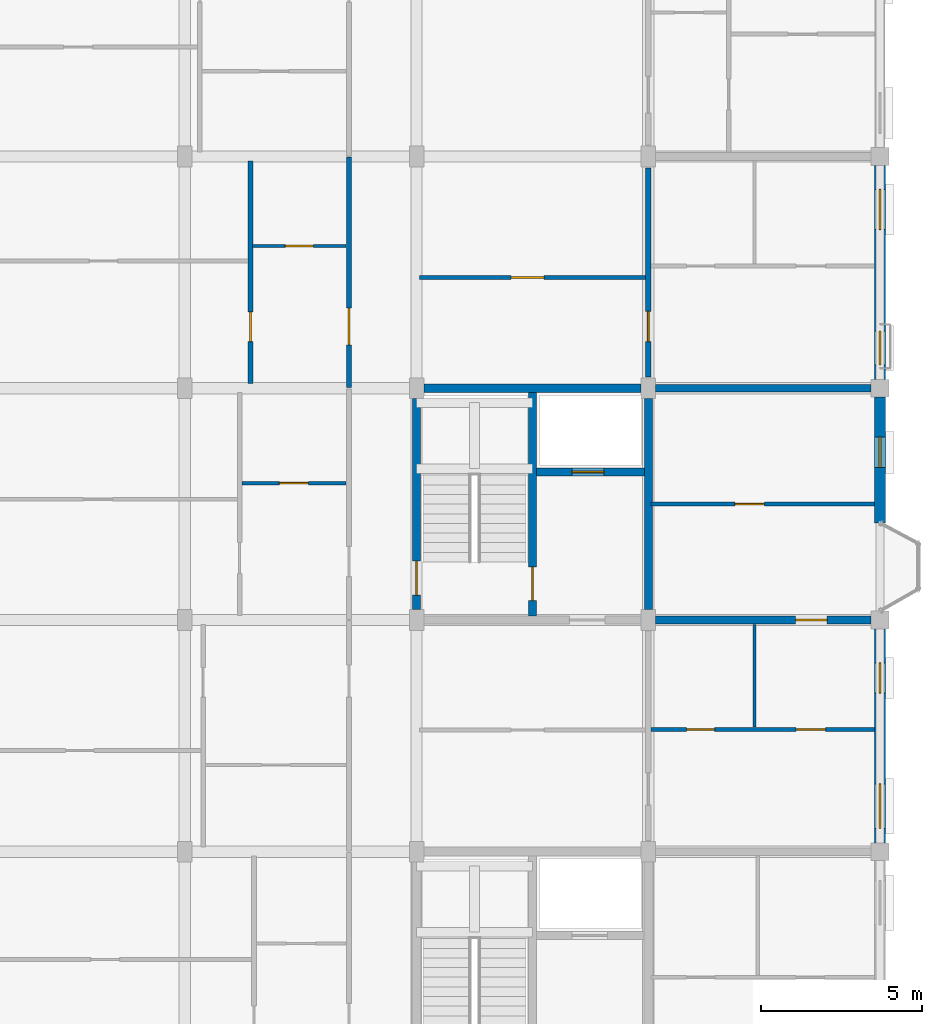
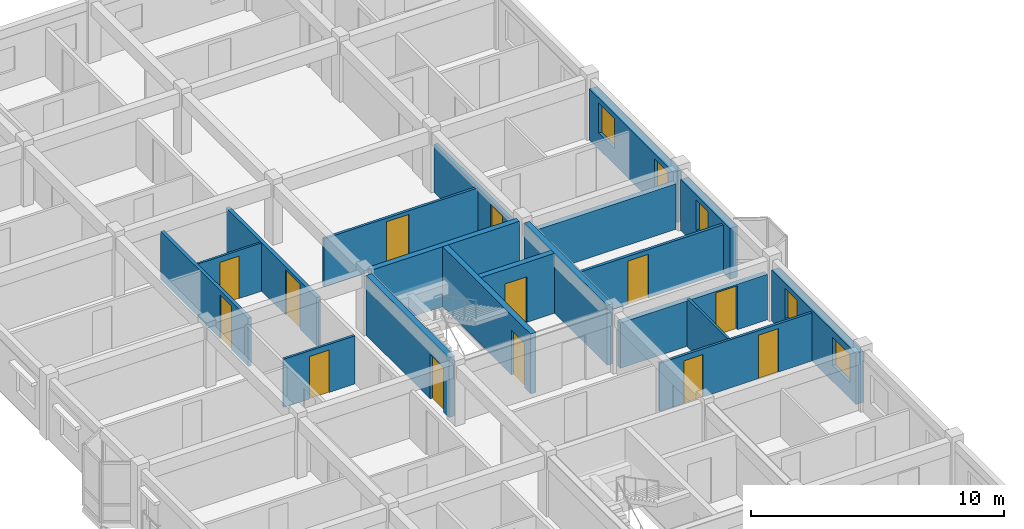
# One storey, part 63 of 79: 19 walls, 13 doors, 5 windows, 18 openings.
"""IFC4 building model written with IfcOpenShell, lengths in metres."""

from ifc_helpers import new_model, si_unit, direction, frame, frame_2d, origin, place, context, subcontext, project, spatial, rectangle, extrude, material, layer, layer_set, type_object, element, fill, save


model = new_model("IFC4")

# Units and contexts
model_context = context("Model", 3, precision=1e-05, world=origin(), true_north=direction((0.0, 1.0)))
body_context = subcontext(model_context, "Body", "Model", "MODEL_VIEW")
ifc_project = project(units=[si_unit("LENGTHUNIT", "METRE"), si_unit("AREAUNIT", "SQUARE_METRE"), si_unit("VOLUMEUNIT", "CUBIC_METRE"), si_unit("PLANEANGLEUNIT", "RADIAN"), si_unit("MASSUNIT", "GRAM", prefix="KILO"), si_unit("THERMODYNAMICTEMPERATUREUNIT", "KELVIN"), si_unit("POWERUNIT", "WATT")], contexts=[model_context])

# Site, building, storey
site_placement = place(None, origin())
site = spatial("IfcSite", under=ifc_project, at=site_placement, CompositionType="ELEMENT")
building_placement = place(site_placement, origin())
building = spatial("IfcBuilding", under=site, at=building_placement, Name="Tavuni Mirador Residences", CompositionType="ELEMENT")
storey_placement = place(building_placement, frame((0.0, 0.0, 13.949951171875)))
storey = spatial("IfcBuildingStorey", under=building, at=storey_placement, Name="L04", CompositionType="ELEMENT", Elevation=13.949951171875)

# Wall, opening, door
ifc_material_1 = material(Name="Precast concrete C40/50", Category="concrete")
ifc_layer_1 = layer(ifc_material_1, 0.25, Name="Precast concrete C40/50", Category="concrete")
ifc_layer_set_1 = layer_set([ifc_layer_1], Name="Precast concrete C40/50")
wall_type_1 = type_object("IfcWallType", Name="WT-COR250", PredefinedType="SHEAR", material=ifc_layer_set_1)
wall_1_placement = place(storey_placement, frame((104.39990234375, 108.324951171875, 0.0), z_axis=(0.0, 0.0, 1.0), x_axis=(0.0, 1.0, 0.0)))
wall_1 = element("IfcWall", 1, at=wall_1_placement, inside=storey, type_object=wall_type_1, Name="CWALL-C8-L04-W", PredefinedType="SHEAR", context=body_context, shape_type="SweptSolid", body=[
    extrude(rectangle(XDim=6.550048828125, YDim=0.25, at=frame_2d((3.27490234375, 0.0))), origin(), (0.0, 0.0, 1.0), 2.89013671875),
])
opening_1_placement = place(wall_1_placement, frame((0.449951171875, 0.0, 0.0)))
opening_1 = element("IfcOpeningElement", 2, at=opening_1_placement, cuts=wall_1, Name="Opening D-01", PredefinedType="OPENING", context=body_context, shape_type="SweptSolid", body=[
    extrude(rectangle(XDim=1.050048828125, YDim=2.14990234375, at=frame_2d((0.52490234375, 1.074951171875))), frame((0.0, 0.135009765625, 0.0), z_axis=(0.0, -1.0, 0.0), x_axis=(1.0, 0.0, 0.0)), (0.0, 0.0, 1.0), 0.27001953125),
])
ifc_material_2 = material(Name="Solid core iroko timber", Category="wood")
door_type_1 = type_object("IfcDoorType", Name="DT-ST1050", OperationType="NOTDEFINED", PredefinedType="DOOR", material=ifc_material_2)
door_1_placement = place(opening_1_placement, origin())
door_1 = element("IfcDoor", 3, at=door_1_placement, inside=storey, type_object=door_type_1, Name="DR-2329", OperationType="SINGLE_SWING_RIGHT", OverallHeight=2.14990234375, OverallWidth=1.050048828125, PredefinedType="DOOR", context=body_context, shape_type="SweptSolid", body=[
    extrude(rectangle(XDim=1.050048828125, YDim=2.14990234375, at=frame_2d((0.52490234375, 1.074951171875))), frame((0.0, 0.02490234375, 0.0), z_axis=(0.0, -1.0, 0.0), x_axis=(1.0, 0.0, 0.0)), (0.0, 0.0, 1.0), 0.050048828125),
])
fill(opening_1, door_1)

# Walls
wall_2_placement = place(storey_placement, frame((104.625, 115.199951171875, 0.0), z_axis=(0.0, 0.0, 1.0), x_axis=(1.0, 0.0, 0.0)))
element("IfcWall", 4, at=wall_2_placement, inside=storey, type_object=wall_type_1, Name="CWALL-C8-L04-N", PredefinedType="SHEAR", context=body_context, shape_type="SweptSolid", body=[
    extrude(rectangle(XDim=6.75, YDim=0.25, at=frame_2d((3.375, 0.0))), origin(), (0.0, 0.0, 1.0), 2.89013671875),
])
wall_3_placement = place(storey_placement, frame((111.60009765625, 108.324951171875, 0.0), z_axis=(0.0, 0.0, 1.0), x_axis=(0.0, 1.0, 0.0)))
element("IfcWall", 5, at=wall_3_placement, inside=storey, type_object=wall_type_1, Name="CWALL-C8-L04-E", PredefinedType="SHEAR", context=body_context, shape_type="SweptSolid", body=[
    extrude(rectangle(XDim=6.550048828125, YDim=0.25, at=frame_2d((3.27490234375, 0.0))), origin(), (0.0, 0.0, 1.0), 2.89013671875),
])

# Wall, opening, door
wall_4_placement = place(storey_placement, frame((108.0, 108.125, 0.0), z_axis=(0.0, 0.0, 1.0), x_axis=(0.0, 1.0, 0.0)))
wall_4 = element("IfcWall", 6, at=wall_4_placement, inside=storey, type_object=wall_type_1, Name="CWALL-C8-L04-MID", PredefinedType="SHEAR", context=body_context, shape_type="SweptSolid", body=[
    extrude(rectangle(XDim=6.949951171875, YDim=0.25, at=frame_2d((3.47509765625, 0.0))), origin(), (0.0, 0.0, 1.0), 2.89013671875),
])
opening_2_placement = place(wall_4_placement, frame((0.47509765625, 0.0, 0.0)))
opening_2 = element("IfcOpeningElement", 7, at=opening_2_placement, cuts=wall_4, Name="Opening D-01", PredefinedType="OPENING", context=body_context, shape_type="SweptSolid", body=[
    extrude(rectangle(XDim=1.050048828125, YDim=2.14990234375, at=frame_2d((0.52490234375, 1.074951171875))), frame((0.0, 0.135009765625, 0.0), z_axis=(0.0, -1.0, 0.0), x_axis=(1.0, 0.0, 0.0)), (0.0, 0.0, 1.0), 0.27001953125),
])
door_2_placement = place(opening_2_placement, origin())
door_2 = element("IfcDoor", 8, at=door_2_placement, inside=storey, type_object=door_type_1, Name="DR-2331", OperationType="SINGLE_SWING_LEFT", OverallHeight=2.14990234375, OverallWidth=1.050048828125, PredefinedType="DOOR", context=body_context, shape_type="SweptSolid", body=[
    extrude(rectangle(XDim=1.050048828125, YDim=2.14990234375, at=frame_2d((0.52490234375, 1.074951171875))), frame((0.0, 0.02490234375, 0.0), z_axis=(0.0, -1.0, 0.0), x_axis=(1.0, 0.0, 0.0)), (0.0, 0.0, 1.0), 0.050048828125),
])
fill(opening_2, door_2)

wall_5_placement = place(storey_placement, frame((108.125, 112.60009765625, 0.0), z_axis=(0.0, 0.0, 1.0), x_axis=(1.0, 0.0, 0.0)))
wall_5 = element("IfcWall", 9, at=wall_5_placement, inside=storey, type_object=wall_type_1, Name="CWALL-C8-L04-SHF", PredefinedType="SHEAR", context=body_context, shape_type="SweptSolid", body=[
    extrude(rectangle(XDim=3.35009765625, YDim=0.25, at=frame_2d((1.675048828125, 0.0))), origin(), (0.0, 0.0, 1.0), 2.89013671875),
])
opening_3_placement = place(wall_5_placement, frame((1.10009765625, 0.0, 0.0)))
opening_3 = element("IfcOpeningElement", 10, at=opening_3_placement, cuts=wall_5, Name="Opening LD-02", PredefinedType="OPENING", context=body_context, shape_type="SweptSolid", body=[
    extrude(rectangle(XDim=1.0, YDim=2.199951171875, at=frame_2d((0.5, 1.10009765625))), frame((0.0, 0.135009765625, 0.0), z_axis=(0.0, -1.0, 0.0), x_axis=(1.0, 0.0, 0.0)), (0.0, 0.0, 1.0), 0.27001953125),
])
ifc_material_3 = material(Name="Structural steel S355", Category="steel")
door_type_2 = type_object("IfcDoorType", Name="DT-LD-PAX", OperationType="SLIDING_TO_LEFT", PredefinedType="DOOR", material=ifc_material_3)
door_3_placement = place(opening_3_placement, origin())
door_3 = element("IfcDoor", 11, at=door_3_placement, inside=storey, type_object=door_type_2, Name="Lift landing door PL-D1 L04", OperationType="SLIDING_TO_LEFT", OverallHeight=2.199951171875, OverallWidth=1.0, PredefinedType="DOOR", context=body_context, shape_type="SweptSolid", body=[
    extrude(rectangle(XDim=1.0, YDim=2.199951171875, at=frame_2d((0.5, 1.10009765625))), frame((0.0, 0.02490234375, 0.0), z_axis=(0.0, -1.0, 0.0), x_axis=(1.0, 0.0, 0.0)), (0.0, 0.0, 1.0), 0.050048828125),
])
fill(opening_3, door_3)

ifc_layer_2 = layer(ifc_material_1, 0.1650390625, Name="Precast concrete C40/50", Category="concrete")
ifc_layer_set_2 = layer_set([ifc_layer_2], Name="Precast concrete C40/50")
wall_type_2 = type_object("IfcWallType", Name="WT-CORR165", PredefinedType="PARTITIONING", material=ifc_layer_set_2)
wall_6_placement = place(storey_placement, frame((102.300048828125, 115.219970703125, 0.0), z_axis=(0.0, 0.0, 1.0), x_axis=(0.0, 1.0, 0.0)))
wall_6 = element("IfcWall", 12, at=wall_6_placement, inside=storey, type_object=wall_type_2, Name="CORW-BLK-D-L04-0-04", PredefinedType="PARTITIONING", context=body_context, shape_type="SweptSolid", body=[
    extrude(rectangle(XDim=7.159912109375, YDim=0.1650390625, at=frame_2d((3.580078125, 0.0))), origin(), (0.0, 0.0, 1.0), 2.324951171875),
])
opening_4_placement = place(wall_6_placement, frame((1.330078125, 0.0, 0.0)))
opening_4 = element("IfcOpeningElement", 13, at=opening_4_placement, cuts=wall_6, Name="Opening D-20", PredefinedType="OPENING", context=body_context, shape_type="SweptSolid", body=[
    extrude(rectangle(XDim=1.139892578125, YDim=2.179931640625, at=frame_2d((0.56982421875, 1.08984375))), frame((0.0, 0.092529296875, 0.0), z_axis=(0.0, -1.0, 0.0), x_axis=(1.0, 0.0, 0.0)), (0.0, 0.0, 1.0), 0.18505859375),
])
door_type_3 = type_object("IfcDoorType", Name="DT-FD60-1140", OperationType="NOTDEFINED", PredefinedType="DOOR", material=ifc_material_2)
door_4_placement = place(opening_4_placement, origin())
door_4 = element("IfcDoor", 14, at=door_4_placement, inside=storey, type_object=door_type_3, Name="DR-2861", OperationType="SINGLE_SWING_RIGHT", OverallHeight=2.179931640625, OverallWidth=1.139892578125, PredefinedType="DOOR", context=body_context, shape_type="SweptSolid", body=[
    extrude(rectangle(XDim=1.139892578125, YDim=2.179931640625, at=frame_2d((0.56982421875, 1.08984375))), frame((0.0, 0.02490234375, 0.0), z_axis=(0.0, -1.0, 0.0), x_axis=(1.0, 0.0, 0.0)), (0.0, 0.0, 1.0), 0.050048828125),
])
fill(opening_4, door_4)

wall_7_placement = place(storey_placement, frame((111.60009765625, 115.550048828125, 0.0), z_axis=(0.0, 0.0, 1.0), x_axis=(0.0, 1.0, 0.0)))
wall_7 = element("IfcWall", 15, at=wall_7_placement, inside=storey, type_object=wall_type_2, Name="CORW-BLK-D-L04-1-04", PredefinedType="PARTITIONING", context=body_context, shape_type="SweptSolid", body=[
    extrude(rectangle(XDim=6.5, YDim=0.1650390625, at=frame_2d((3.25, 0.0))), origin(), (0.0, 0.0, 1.0), 2.324951171875),
])
opening_5_placement = place(wall_7_placement, frame((1.10009765625, 0.0, 0.0)))
opening_5 = element("IfcOpeningElement", 16, at=opening_5_placement, cuts=wall_7, Name="Opening D-19", PredefinedType="OPENING", context=body_context, shape_type="SweptSolid", body=[
    extrude(rectangle(XDim=0.93994140625, YDim=2.1201171875, at=frame_2d((0.469970703125, 1.06005859375))), frame((0.0, 0.092529296875, 0.0), z_axis=(0.0, -1.0, 0.0), x_axis=(1.0, 0.0, 0.0)), (0.0, 0.0, 1.0), 0.18505859375),
])
door_type_4 = type_object("IfcDoorType", Name="DT-FD60-940", OperationType="NOTDEFINED", PredefinedType="DOOR", material=ifc_material_2)
door_5_placement = place(opening_5_placement, origin())
door_5 = element("IfcDoor", 17, at=door_5_placement, inside=storey, type_object=door_type_4, Name="DR-2866", OperationType="SINGLE_SWING_LEFT", OverallHeight=2.1201171875, OverallWidth=0.93994140625, PredefinedType="DOOR", context=body_context, shape_type="SweptSolid", body=[
    extrude(rectangle(XDim=0.93994140625, YDim=2.1201171875, at=frame_2d((0.469970703125, 1.06005859375))), frame((0.0, 0.02490234375, 0.0), z_axis=(0.0, -1.0, 0.0), x_axis=(1.0, 0.0, 0.0)), (0.0, 0.0, 1.0), 0.050048828125),
])
fill(opening_5, door_5)

# Wall, openings, windows
ifc_material_4 = material(Name="Sgraffito lime-rendered precast concrete C40/50", Category="concrete")
ifc_layer_3 = layer(ifc_material_4, 0.344970703125, Name="Sgraffito lime-rendered precast concrete C40/50", Category="concrete")
ifc_layer_set_3 = layer_set([ifc_layer_3], Name="Sgraffito lime-rendered precast concrete C40/50")
wall_type_3 = type_object("IfcWallType", Name="WT-EXT-PTY345", PredefinedType="SOLIDWALL", material=ifc_layer_set_3)
wall_8_placement = place(storey_placement, frame((118.800048828125, 101.074951171875, 0.0), z_axis=(0.0, 0.0, 1.0), x_axis=(0.0, 1.0, 0.0)))
wall_8 = element("IfcWall", 18, at=wall_8_placement, inside=storey, type_object=wall_type_3, Name="EW-BLK-D-L04-E02", PredefinedType="SOLIDWALL", context=body_context, shape_type="SweptSolid", body=[
    extrude(rectangle(XDim=6.650146484375, YDim=0.344970703125, at=frame_2d((3.3251953125, 0.0))), origin(), (0.0, 0.0, 1.0), 2.4599609375),
])
opening_6_placement = place(wall_8_placement, frame((0.449951171875, 0.0, 0.780029296875)))
opening_6 = element("IfcOpeningElement", 19, at=opening_6_placement, cuts=wall_8, Name="Opening WN-23", PredefinedType="OPENING", context=body_context, shape_type="SweptSolid", body=[
    extrude(rectangle(XDim=1.3798828125, YDim=1.360107421875, at=frame_2d((0.68994140625, 0.68017578125))), frame((0.0, 0.1826171875, 0.0), z_axis=(0.0, -1.0, 0.0), x_axis=(1.0, 0.0, 0.0)), (0.0, 0.0, 1.0), 0.364990234375),
])
opening_7_placement = place(wall_8_placement, frame((4.64990234375, 0.0, 0.780029296875)))
opening_7 = element("IfcOpeningElement", 20, at=opening_7_placement, cuts=wall_8, Name="Opening WN-25", PredefinedType="OPENING", context=body_context, shape_type="SweptSolid", body=[
    extrude(rectangle(XDim=0.93994140625, YDim=1.43994140625, at=frame_2d((0.469970703125, 0.719970703125))), frame((0.0, 0.1826171875, 0.0), z_axis=(0.0, -1.0, 0.0), x_axis=(1.0, 0.0, 0.0)), (0.0, 0.0, 1.0), 0.364990234375),
])
ifc_material_5 = material(Name="Laminated solar-control glass", Category="glass")
window_type_1 = type_object("IfcWindowType", Name="WNT-23", PartitioningType="SINGLE_PANEL", PredefinedType="WINDOW", material=ifc_material_5)
window_1_placement = place(opening_6_placement, origin())
window_1 = element("IfcWindow", 21, at=window_1_placement, inside=storey, type_object=window_type_1, Name="WIN-1578", OverallHeight=1.360107421875, OverallWidth=1.3798828125, PartitioningType="SINGLE_PANEL", PredefinedType="WINDOW", context=body_context, shape_type="SweptSolid", body=[
    extrude(rectangle(XDim=1.3798828125, YDim=1.360107421875, at=frame_2d((0.68994140625, 0.68017578125))), frame((0.0, 0.030029296875, 0.0), z_axis=(0.0, -1.0, 0.0), x_axis=(1.0, 0.0, 0.0)), (0.0, 0.0, 1.0), 0.06005859375),
])
fill(opening_6, window_1)
window_type_2 = type_object("IfcWindowType", Name="WNT-25", PartitioningType="SINGLE_PANEL", PredefinedType="WINDOW", material=ifc_material_5)
window_2_placement = place(opening_7_placement, origin())
window_2 = element("IfcWindow", 22, at=window_2_placement, inside=storey, type_object=window_type_2, Name="WIN-1579", OverallHeight=1.43994140625, OverallWidth=0.93994140625, PartitioningType="SINGLE_PANEL", PredefinedType="WINDOW", context=body_context, shape_type="SweptSolid", body=[
    extrude(rectangle(XDim=0.93994140625, YDim=1.43994140625, at=frame_2d((0.469970703125, 0.719970703125))), frame((0.0, 0.030029296875, 0.0), z_axis=(0.0, -1.0, 0.0), x_axis=(1.0, 0.0, 0.0)), (0.0, 0.0, 1.0), 0.06005859375),
])
fill(opening_7, window_2)

# Wall, opening, window
wall_9_placement = place(storey_placement, frame((118.800048828125, 111.02001953125, 0.0), z_axis=(0.0, 0.0, 1.0), x_axis=(0.0, 1.0, 0.0)))
wall_9 = element("IfcWall", 23, at=wall_9_placement, inside=storey, type_object=wall_type_3, Name="EW-BLK-D-L04-E03", PredefinedType="SOLIDWALL", context=body_context, shape_type="SweptSolid", body=[
    extrude(rectangle(XDim=3.905029296875, YDim=0.344970703125, at=frame_2d((1.95263671875, 0.0))), origin(), (0.0, 0.0, 1.0), 2.4599609375),
])
opening_8_placement = place(wall_9_placement, frame((1.717529296875, 0.0, 0.780029296875)))
opening_8 = element("IfcOpeningElement", 24, at=opening_8_placement, cuts=wall_9, Name="Opening WN-25", PredefinedType="OPENING", context=body_context, shape_type="SweptSolid", body=[
    extrude(rectangle(XDim=0.93994140625, YDim=1.43994140625, at=frame_2d((0.469970703125, 0.719970703125))), frame((0.0, 0.1826171875, 0.0), z_axis=(0.0, -1.0, 0.0), x_axis=(1.0, 0.0, 0.0)), (0.0, 0.0, 1.0), 0.364990234375),
])
window_3_placement = place(opening_8_placement, origin())
window_3 = element("IfcWindow", 25, at=window_3_placement, inside=storey, type_object=window_type_2, Name="WIN-1580", OverallHeight=1.43994140625, OverallWidth=0.93994140625, PartitioningType="SINGLE_PANEL", PredefinedType="WINDOW", context=body_context, shape_type="SweptSolid", body=[
    extrude(rectangle(XDim=0.93994140625, YDim=1.43994140625, at=frame_2d((0.469970703125, 0.719970703125))), frame((0.0, 0.030029296875, 0.0), z_axis=(0.0, -1.0, 0.0), x_axis=(1.0, 0.0, 0.0)), (0.0, 0.0, 1.0), 0.06005859375),
])
fill(opening_8, window_3)

# Wall, openings, windows
wall_10_placement = place(storey_placement, frame((118.800048828125, 115.47509765625, 0.0), z_axis=(0.0, 0.0, 1.0), x_axis=(0.0, 1.0, 0.0)))
wall_10 = element("IfcWall", 26, at=wall_10_placement, inside=storey, type_object=wall_type_3, Name="EW-BLK-D-L04-E04", PredefinedType="SOLIDWALL", context=body_context, shape_type="SweptSolid", body=[
    extrude(rectangle(XDim=6.64990234375, YDim=0.344970703125, at=frame_2d((3.324951171875, 0.0))), origin(), (0.0, 0.0, 1.0), 2.4599609375),
])
opening_9_placement = place(wall_10_placement, frame((0.449951171875, 0.0, 0.780029296875)))
opening_9 = element("IfcOpeningElement", 27, at=opening_9_placement, cuts=wall_10, Name="Opening WN-26", PredefinedType="OPENING", context=body_context, shape_type="SweptSolid", body=[
    extrude(rectangle(XDim=1.050048828125, YDim=1.43994140625, at=frame_2d((0.52490234375, 0.719970703125))), frame((0.0, 0.1826171875, 0.0), z_axis=(0.0, -1.0, 0.0), x_axis=(1.0, 0.0, 0.0)), (0.0, 0.0, 1.0), 0.364990234375),
])
opening_10_placement = place(wall_10_placement, frame((4.64990234375, 0.0, 0.780029296875)))
opening_10 = element("IfcOpeningElement", 28, at=opening_10_placement, cuts=wall_10, Name="Opening WN-28", PredefinedType="OPENING", context=body_context, shape_type="SweptSolid", body=[
    extrude(rectangle(XDim=1.25, YDim=1.43994140625, at=frame_2d((0.625, 0.719970703125))), frame((0.0, 0.1826171875, 0.0), z_axis=(0.0, -1.0, 0.0), x_axis=(1.0, 0.0, 0.0)), (0.0, 0.0, 1.0), 0.364990234375),
])
window_type_3 = type_object("IfcWindowType", Name="WNT-26", PartitioningType="SINGLE_PANEL", PredefinedType="WINDOW", material=ifc_material_5)
window_4_placement = place(opening_9_placement, origin())
window_4 = element("IfcWindow", 29, at=window_4_placement, inside=storey, type_object=window_type_3, Name="WIN-1581", OverallHeight=1.43994140625, OverallWidth=1.050048828125, PartitioningType="SINGLE_PANEL", PredefinedType="WINDOW", context=body_context, shape_type="SweptSolid", body=[
    extrude(rectangle(XDim=1.050048828125, YDim=1.43994140625, at=frame_2d((0.52490234375, 0.719970703125))), frame((0.0, 0.030029296875, 0.0), z_axis=(0.0, -1.0, 0.0), x_axis=(1.0, 0.0, 0.0)), (0.0, 0.0, 1.0), 0.06005859375),
])
fill(opening_9, window_4)
window_type_4 = type_object("IfcWindowType", Name="WNT-28", PartitioningType="SINGLE_PANEL", PredefinedType="WINDOW", material=ifc_material_5)
window_5_placement = place(opening_10_placement, origin())
window_5 = element("IfcWindow", 30, at=window_5_placement, inside=storey, type_object=window_type_4, Name="WIN-1582", OverallHeight=1.43994140625, OverallWidth=1.25, PartitioningType="SINGLE_PANEL", PredefinedType="WINDOW", context=body_context, shape_type="SweptSolid", body=[
    extrude(rectangle(XDim=1.25, YDim=1.43994140625, at=frame_2d((0.625, 0.719970703125))), frame((0.0, 0.030029296875, 0.0), z_axis=(0.0, -1.0, 0.0), x_axis=(1.0, 0.0, 0.0)), (0.0, 0.0, 1.0), 0.06005859375),
])
fill(opening_10, window_5)

# Wall, opening, door
ifc_material_6 = material(Name="Acoustic gypsum and concrete block partition", Category="concrete")
ifc_layer_4 = layer(ifc_material_6, 0.094970703125, Name="Acoustic gypsum and concrete block partition", Category="concrete")
ifc_layer_set_4 = layer_set([ifc_layer_4], Name="Acoustic gypsum and concrete block partition")
wall_type_4 = type_object("IfcWallType", Name="WT-PART095", PredefinedType="PARTITIONING", material=ifc_layer_set_4)
wall_11_placement = place(storey_placement, frame((99.31005859375, 119.6201171875, 0.0), z_axis=(0.0, 0.0, 1.0), x_axis=(1.0, 0.0, 0.0)))
wall_11 = element("IfcWall", 31, at=wall_11_placement, inside=storey, type_object=wall_type_4, Name="PW-BLK-D-L04-W04-IN1", PredefinedType="PARTITIONING", context=body_context, shape_type="SweptSolid", body=[
    extrude(rectangle(XDim=2.89990234375, YDim=0.094970703125, at=frame_2d((1.449951171875, 0.0))), origin(), (0.0, 0.0, 1.0), 2.324951171875),
])
opening_11_placement = place(wall_11_placement, frame((1.014892578125, 0.0, 0.0)))
opening_11 = element("IfcOpeningElement", 32, at=opening_11_placement, cuts=wall_11, Name="Opening D-10", PredefinedType="OPENING", context=body_context, shape_type="SweptSolid", body=[
    extrude(rectangle(XDim=0.8701171875, YDim=2.050048828125, at=frame_2d((0.43505859375, 1.02490234375))), frame((0.0, 0.0576171875, 0.0), z_axis=(0.0, -1.0, 0.0), x_axis=(1.0, 0.0, 0.0)), (0.0, 0.0, 1.0), 0.114990234375),
])
door_type_5 = type_object("IfcDoorType", Name="DT-WC870", OperationType="NOTDEFINED", PredefinedType="DOOR", material=ifc_material_2)
door_6_placement = place(opening_11_placement, origin())
door_6 = element("IfcDoor", 33, at=door_6_placement, inside=storey, type_object=door_type_5, Name="DR-4454", OperationType="SINGLE_SWING_LEFT", OverallHeight=2.050048828125, OverallWidth=0.8701171875, PredefinedType="DOOR", context=body_context, shape_type="SweptSolid", body=[
    extrude(rectangle(XDim=0.8701171875, YDim=2.050048828125, at=frame_2d((0.43505859375, 1.02490234375))), frame((0.0, 0.02490234375, 0.0), z_axis=(0.0, -1.0, 0.0), x_axis=(1.0, 0.0, 0.0)), (0.0, 0.0, 1.0), 0.050048828125),
])
fill(opening_11, door_6)

# Wall
ifc_layer_5 = layer(ifc_material_6, 0.10498046875, Name="Acoustic gypsum and concrete block partition", Category="concrete")
ifc_layer_set_5 = layer_set([ifc_layer_5], Name="Acoustic gypsum and concrete block partition")
wall_type_5 = type_object("IfcWallType", Name="WT-PART105", PredefinedType="PARTITIONING", material=ifc_layer_set_5)
wall_12_placement = place(storey_placement, frame((114.89990234375, 104.669921875, 0.0), z_axis=(0.0, 0.0, 1.0), x_axis=(0.0, 1.0, 0.0)))
element("IfcWall", 34, at=wall_12_placement, inside=storey, type_object=wall_type_5, Name="PW-BLK-D-L04-PF02-V", PredefinedType="PARTITIONING", context=body_context, shape_type="SweptSolid", body=[
    extrude(rectangle(XDim=3.190185546875, YDim=0.10498046875, at=frame_2d((1.59521484375, 0.0))), origin(), (0.0, 0.0, 1.0), 2.324951171875),
])

# Wall, opening, door
wall_13_placement = place(storey_placement, frame((98.969970703125, 112.25, 0.0), z_axis=(0.0, 0.0, 1.0), x_axis=(1.0, 0.0, 0.0)))
wall_13 = element("IfcWall", 35, at=wall_13_placement, inside=storey, type_object=wall_type_5, Name="PW-BLK-D-L04-W03-IN1", PredefinedType="PARTITIONING", context=body_context, shape_type="SweptSolid", body=[
    extrude(rectangle(XDim=3.239990234375, YDim=0.10498046875, at=frame_2d((1.6201171875, 0.0))), origin(), (0.0, 0.0, 1.0), 2.324951171875),
])
opening_12_placement = place(wall_13_placement, frame((1.169921875, 0.0, 0.0)))
opening_12 = element("IfcOpeningElement", 36, at=opening_12_placement, cuts=wall_13, Name="Opening D-09", PredefinedType="OPENING", context=body_context, shape_type="SweptSolid", body=[
    extrude(rectangle(XDim=0.89990234375, YDim=2.050048828125, at=frame_2d((0.449951171875, 1.02490234375))), frame((0.0, 0.0625, 0.0), z_axis=(0.0, -1.0, 0.0), x_axis=(1.0, 0.0, 0.0)), (0.0, 0.0, 1.0), 0.125),
])
door_type_6 = type_object("IfcDoorType", Name="DT-WC900", OperationType="NOTDEFINED", PredefinedType="DOOR", material=ifc_material_2)
door_7_placement = place(opening_12_placement, origin())
door_7 = element("IfcDoor", 37, at=door_7_placement, inside=storey, type_object=door_type_6, Name="DR-4449", OperationType="SINGLE_SWING_RIGHT", OverallHeight=2.050048828125, OverallWidth=0.89990234375, PredefinedType="DOOR", context=body_context, shape_type="SweptSolid", body=[
    extrude(rectangle(XDim=0.89990234375, YDim=2.050048828125, at=frame_2d((0.449951171875, 1.02490234375))), frame((0.0, 0.02490234375, 0.0), z_axis=(0.0, -1.0, 0.0), x_axis=(1.0, 0.0, 0.0)), (0.0, 0.0, 1.0), 0.050048828125),
])
fill(opening_12, door_7)

# Wall, openings, doors
ifc_layer_6 = layer(ifc_material_6, 0.114990234375, Name="Acoustic gypsum and concrete block partition", Category="concrete")
ifc_layer_set_6 = layer_set([ifc_layer_6], Name="Acoustic gypsum and concrete block partition")
wall_type_6 = type_object("IfcWallType", Name="WT-PART115", PredefinedType="PARTITIONING", material=ifc_layer_set_6)
wall_14_placement = place(storey_placement, frame((111.68994140625, 104.60009765625, 0.0), z_axis=(0.0, 0.0, 1.0), x_axis=(1.0, 0.0, 0.0)))
wall_14 = element("IfcWall", 38, at=wall_14_placement, inside=storey, type_object=wall_type_6, Name="PW-BLK-D-L04-PF02-H", PredefinedType="PARTITIONING", context=body_context, shape_type="SweptSolid", body=[
    extrude(rectangle(XDim=6.93505859375, YDim=0.114990234375, at=frame_2d((3.467529296875, 0.0))), origin(), (0.0, 0.0, 1.0), 2.324951171875),
])
opening_13_placement = place(wall_14_placement, frame((1.10009765625, 0.0, 0.0)))
opening_13 = element("IfcOpeningElement", 39, at=opening_13_placement, cuts=wall_14, Name="Opening D-10", PredefinedType="OPENING", context=body_context, shape_type="SweptSolid", body=[
    extrude(rectangle(XDim=0.8701171875, YDim=2.050048828125, at=frame_2d((0.43505859375, 1.02490234375))), frame((0.0, 0.0673828125, 0.0), z_axis=(0.0, -1.0, 0.0), x_axis=(1.0, 0.0, 0.0)), (0.0, 0.0, 1.0), 0.135009765625),
])
opening_14_placement = place(wall_14_placement, frame((4.5, 0.0, 0.0)))
opening_14 = element("IfcOpeningElement", 40, at=opening_14_placement, cuts=wall_14, Name="Opening D-06", PredefinedType="OPENING", context=body_context, shape_type="SweptSolid", body=[
    extrude(rectangle(XDim=0.919921875, YDim=2.10009765625, at=frame_2d((0.4599609375, 1.050048828125))), frame((0.0, 0.0673828125, 0.0), z_axis=(0.0, -1.0, 0.0), x_axis=(1.0, 0.0, 0.0)), (0.0, 0.0, 1.0), 0.135009765625),
])
door_type_7 = type_object("IfcDoorType", Name="DT-INT920", OperationType="NOTDEFINED", PredefinedType="DOOR", material=ifc_material_2)
door_8_placement = place(opening_14_placement, origin())
door_8 = element("IfcDoor", 41, at=door_8_placement, inside=storey, type_object=door_type_7, Name="DR-4447", OperationType="SINGLE_SWING_RIGHT", OverallHeight=2.10009765625, OverallWidth=0.919921875, PredefinedType="DOOR", context=body_context, shape_type="SweptSolid", body=[
    extrude(rectangle(XDim=0.919921875, YDim=2.10009765625, at=frame_2d((0.4599609375, 1.050048828125))), frame((0.0, 0.02490234375, 0.0), z_axis=(0.0, -1.0, 0.0), x_axis=(1.0, 0.0, 0.0)), (0.0, 0.0, 1.0), 0.050048828125),
])
fill(opening_14, door_8)
door_9_placement = place(opening_13_placement, origin())
door_9 = element("IfcDoor", 42, at=door_9_placement, inside=storey, type_object=door_type_5, Name="DR-4446", OperationType="SINGLE_SWING_LEFT", OverallHeight=2.050048828125, OverallWidth=0.8701171875, PredefinedType="DOOR", context=body_context, shape_type="SweptSolid", body=[
    extrude(rectangle(XDim=0.8701171875, YDim=2.050048828125, at=frame_2d((0.43505859375, 1.02490234375))), frame((0.0, 0.02490234375, 0.0), z_axis=(0.0, -1.0, 0.0), x_axis=(1.0, 0.0, 0.0)), (0.0, 0.0, 1.0), 0.050048828125),
])
fill(opening_13, door_9)

# Wall, opening, door
wall_15_placement = place(storey_placement, frame((104.489990234375, 118.639892578125, 0.0), z_axis=(0.0, 0.0, 1.0), x_axis=(1.0, 0.0, 0.0)))
wall_15 = element("IfcWall", 43, at=wall_15_placement, inside=storey, type_object=wall_type_6, Name="PW-SPN-BLK-D-L04-04", PredefinedType="PARTITIONING", context=body_context, shape_type="SweptSolid", body=[
    extrude(rectangle(XDim=7.02001953125, YDim=0.114990234375, at=frame_2d((3.510009765625, 0.0))), origin(), (0.0, 0.0, 1.0), 2.324951171875),
])
opening_15_placement = place(wall_15_placement, frame((2.85009765625, 0.0, 0.0)))
opening_15 = element("IfcOpeningElement", 44, at=opening_15_placement, cuts=wall_15, Name="Opening D-13", PredefinedType="OPENING", context=body_context, shape_type="SweptSolid", body=[
    extrude(rectangle(XDim=1.02001953125, YDim=2.14990234375, at=frame_2d((0.510009765625, 1.074951171875))), frame((0.0, 0.0673828125, 0.0), z_axis=(0.0, -1.0, 0.0), x_axis=(1.0, 0.0, 0.0)), (0.0, 0.0, 1.0), 0.135009765625),
])
door_type_8 = type_object("IfcDoorType", Name="DT-MTG1020", OperationType="NOTDEFINED", PredefinedType="DOOR", material=ifc_material_2)
door_10_placement = place(opening_15_placement, origin())
door_10 = element("IfcDoor", 45, at=door_10_placement, inside=storey, type_object=door_type_8, Name="DR-4452", OperationType="SINGLE_SWING_LEFT", OverallHeight=2.14990234375, OverallWidth=1.02001953125, PredefinedType="DOOR", context=body_context, shape_type="SweptSolid", body=[
    extrude(rectangle(XDim=1.02001953125, YDim=2.14990234375, at=frame_2d((0.510009765625, 1.074951171875))), frame((0.0, 0.02490234375, 0.0), z_axis=(0.0, -1.0, 0.0), x_axis=(1.0, 0.0, 0.0)), (0.0, 0.0, 1.0), 0.050048828125),
])
fill(opening_15, door_10)

ifc_layer_7 = layer(ifc_material_6, 0.125, Name="Acoustic gypsum and concrete block partition", Category="concrete")
ifc_layer_set_7 = layer_set([ifc_layer_7], Name="Acoustic gypsum and concrete block partition")
wall_type_7 = type_object("IfcWallType", Name="WT-PART125", PredefinedType="PARTITIONING", material=ifc_layer_set_7)
wall_16_placement = place(storey_placement, frame((111.68994140625, 111.60009765625, 0.0), z_axis=(0.0, 0.0, 1.0), x_axis=(1.0, 0.0, 0.0)))
wall_16 = element("IfcWall", 46, at=wall_16_placement, inside=storey, type_object=wall_type_7, Name="PW-BLK-D-L04-PF03-H", PredefinedType="PARTITIONING", context=body_context, shape_type="SweptSolid", body=[
    extrude(rectangle(XDim=6.93505859375, YDim=0.125, at=frame_2d((3.467529296875, 0.0))), origin(), (0.0, 0.0, 1.0), 2.324951171875),
])
opening_16_placement = place(wall_16_placement, frame((2.60009765625, 0.0, 0.0)))
opening_16 = element("IfcOpeningElement", 47, at=opening_16_placement, cuts=wall_16, Name="Opening D-06", PredefinedType="OPENING", context=body_context, shape_type="SweptSolid", body=[
    extrude(rectangle(XDim=0.919921875, YDim=2.10009765625, at=frame_2d((0.4599609375, 1.050048828125))), frame((0.0, 0.072509765625, 0.0), z_axis=(0.0, -1.0, 0.0), x_axis=(1.0, 0.0, 0.0)), (0.0, 0.0, 1.0), 0.14501953125),
])
door_11_placement = place(opening_16_placement, origin())
door_11 = element("IfcDoor", 48, at=door_11_placement, inside=storey, type_object=door_type_7, Name="DR-4451", OperationType="SINGLE_SWING_RIGHT", OverallHeight=2.10009765625, OverallWidth=0.919921875, PredefinedType="DOOR", context=body_context, shape_type="SweptSolid", body=[
    extrude(rectangle(XDim=0.919921875, YDim=2.10009765625, at=frame_2d((0.4599609375, 1.050048828125))), frame((0.0, 0.02490234375, 0.0), z_axis=(0.0, -1.0, 0.0), x_axis=(1.0, 0.0, 0.0)), (0.0, 0.0, 1.0), 0.050048828125),
])
fill(opening_16, door_11)

ifc_layer_8 = layer(ifc_material_6, 0.14990234375, Name="Acoustic gypsum and concrete block partition", Category="concrete")
ifc_layer_set_8 = layer_set([ifc_layer_8], Name="Acoustic gypsum and concrete block partition")
wall_type_8 = type_object("IfcWallType", Name="WT-PART150", PredefinedType="PARTITIONING", material=ifc_layer_set_8)
wall_17_placement = place(storey_placement, frame((99.239990234375, 115.340087890625, 0.0), z_axis=(0.0, 0.0, 1.0), x_axis=(0.0, 1.0, 0.0)))
wall_17 = element("IfcWall", 49, at=wall_17_placement, inside=storey, type_object=wall_type_8, Name="PW-BLK-D-L04-W04-MID", PredefinedType="PARTITIONING", context=body_context, shape_type="SweptSolid", body=[
    extrude(rectangle(XDim=6.919921875, YDim=0.14990234375, at=frame_2d((3.4599609375, 0.0))), origin(), (0.0, 0.0, 1.0), 2.324951171875),
])
opening_17_placement = place(wall_17_placement, frame((1.31005859375, 0.0, 0.0)))
opening_17 = element("IfcOpeningElement", 50, at=opening_17_placement, cuts=wall_17, Name="Opening D-06", PredefinedType="OPENING", context=body_context, shape_type="SweptSolid", body=[
    extrude(rectangle(XDim=0.919921875, YDim=2.10009765625, at=frame_2d((0.4599609375, 1.050048828125))), frame((0.0, 0.0849609375, 0.0), z_axis=(0.0, -1.0, 0.0), x_axis=(1.0, 0.0, 0.0)), (0.0, 0.0, 1.0), 0.169921875),
])
door_12_placement = place(opening_17_placement, origin())
door_12 = element("IfcDoor", 51, at=door_12_placement, inside=storey, type_object=door_type_7, Name="DR-4455", OperationType="SINGLE_SWING_RIGHT", OverallHeight=2.10009765625, OverallWidth=0.919921875, PredefinedType="DOOR", context=body_context, shape_type="SweptSolid", body=[
    extrude(rectangle(XDim=0.919921875, YDim=2.10009765625, at=frame_2d((0.4599609375, 1.050048828125))), frame((0.0, 0.02490234375, 0.0), z_axis=(0.0, -1.0, 0.0), x_axis=(1.0, 0.0, 0.0)), (0.0, 0.0, 1.0), 0.050048828125),
])
fill(opening_17, door_12)

ifc_layer_9 = layer(ifc_material_1, 0.235107421875, Name="Precast concrete C40/50", Category="concrete")
ifc_layer_set_9 = layer_set([ifc_layer_9], Name="Precast concrete C40/50")
wall_type_9 = type_object("IfcWallType", Name="WT-XW235", PredefinedType="SOLIDWALL", material=ifc_layer_set_9)
wall_18_placement = place(storey_placement, frame((111.824951171875, 108.0, 0.0), z_axis=(0.0, 0.0, 1.0), x_axis=(1.0, 0.0, 0.0)))
wall_18 = element("IfcWall", 52, at=wall_18_placement, inside=storey, type_object=wall_type_9, Name="XW-BLK-D-L04-E-03", PredefinedType="SOLIDWALL", context=body_context, shape_type="SweptSolid", body=[
    extrude(rectangle(XDim=6.699951171875, YDim=0.235107421875, at=frame_2d((3.35009765625, 0.0))), origin(), (0.0, 0.0, 1.0), 2.18994140625),
])
opening_18_placement = place(wall_18_placement, frame((4.35009765625, 0.0, 0.0)))
opening_18 = element("IfcOpeningElement", 53, at=opening_18_placement, cuts=wall_18, Name="Opening D-04", PredefinedType="OPENING", context=body_context, shape_type="SweptSolid", body=[
    extrude(rectangle(XDim=0.97998046875, YDim=2.1201171875, at=frame_2d((0.489990234375, 1.06005859375))), frame((0.0, 0.12744140625, 0.0), z_axis=(0.0, -1.0, 0.0), x_axis=(1.0, 0.0, 0.0)), (0.0, 0.0, 1.0), 0.255126953125),
])
door_type_9 = type_object("IfcDoorType", Name="DT-FD60-980", OperationType="NOTDEFINED", PredefinedType="DOOR", material=ifc_material_2)
door_13_placement = place(opening_18_placement, origin())
door_13 = element("IfcDoor", 54, at=door_13_placement, inside=storey, type_object=door_type_9, Name="DR-4767", OperationType="SINGLE_SWING_RIGHT", OverallHeight=2.1201171875, OverallWidth=0.97998046875, PredefinedType="DOOR", context=body_context, shape_type="SweptSolid", body=[
    extrude(rectangle(XDim=0.97998046875, YDim=2.1201171875, at=frame_2d((0.489990234375, 1.06005859375))), frame((0.0, 0.02490234375, 0.0), z_axis=(0.0, -1.0, 0.0), x_axis=(1.0, 0.0, 0.0)), (0.0, 0.0, 1.0), 0.050048828125),
])
fill(opening_18, door_13)

# Wall
wall_19_placement = place(storey_placement, frame((111.824951171875, 115.199951171875, 0.0), z_axis=(0.0, 0.0, 1.0), x_axis=(1.0, 0.0, 0.0)))
element("IfcWall", 55, at=wall_19_placement, inside=storey, type_object=wall_type_9, Name="XW-BLK-D-L04-E-04", PredefinedType="SOLIDWALL", context=body_context, shape_type="SweptSolid", body=[
    extrude(rectangle(XDim=6.699951171875, YDim=0.235107421875, at=frame_2d((3.35009765625, 0.0))), origin(), (0.0, 0.0, 1.0), 2.18994140625),
])

save(model, "model.ifc")
